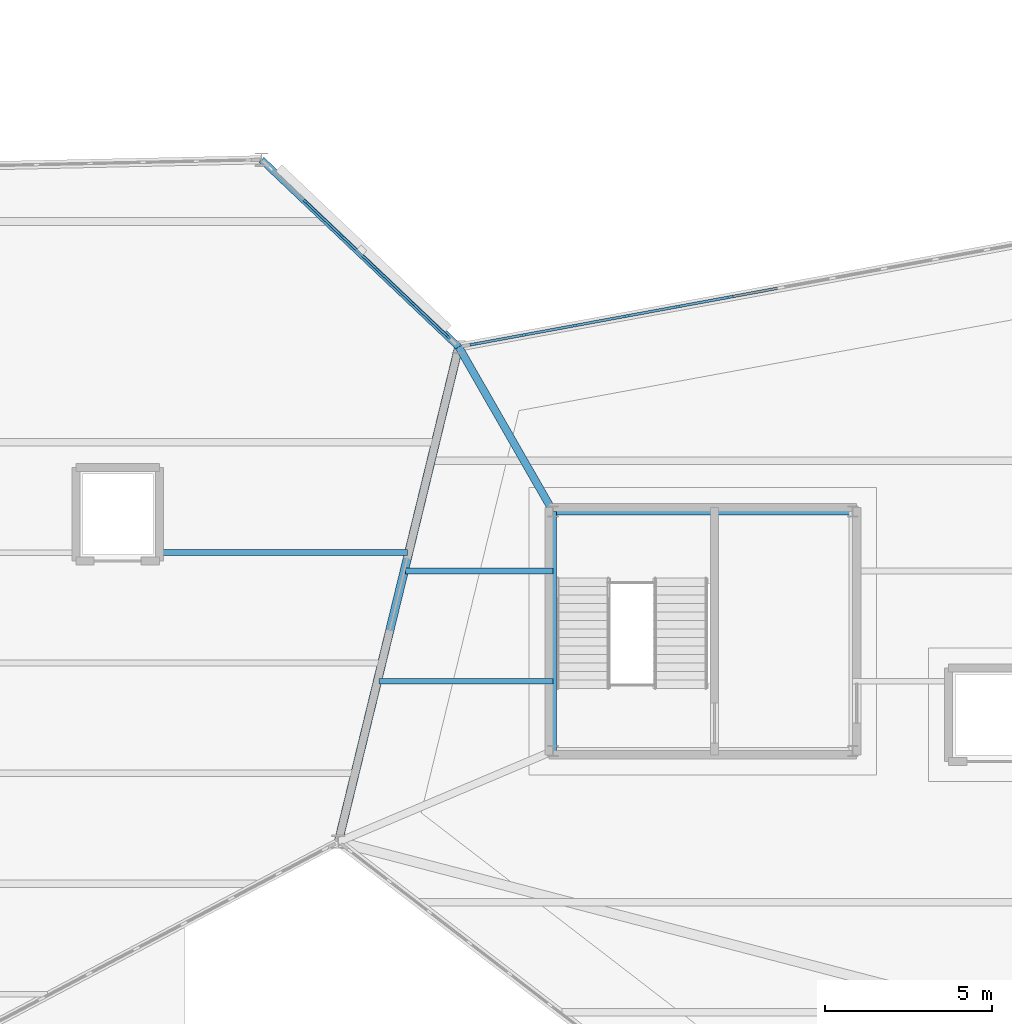
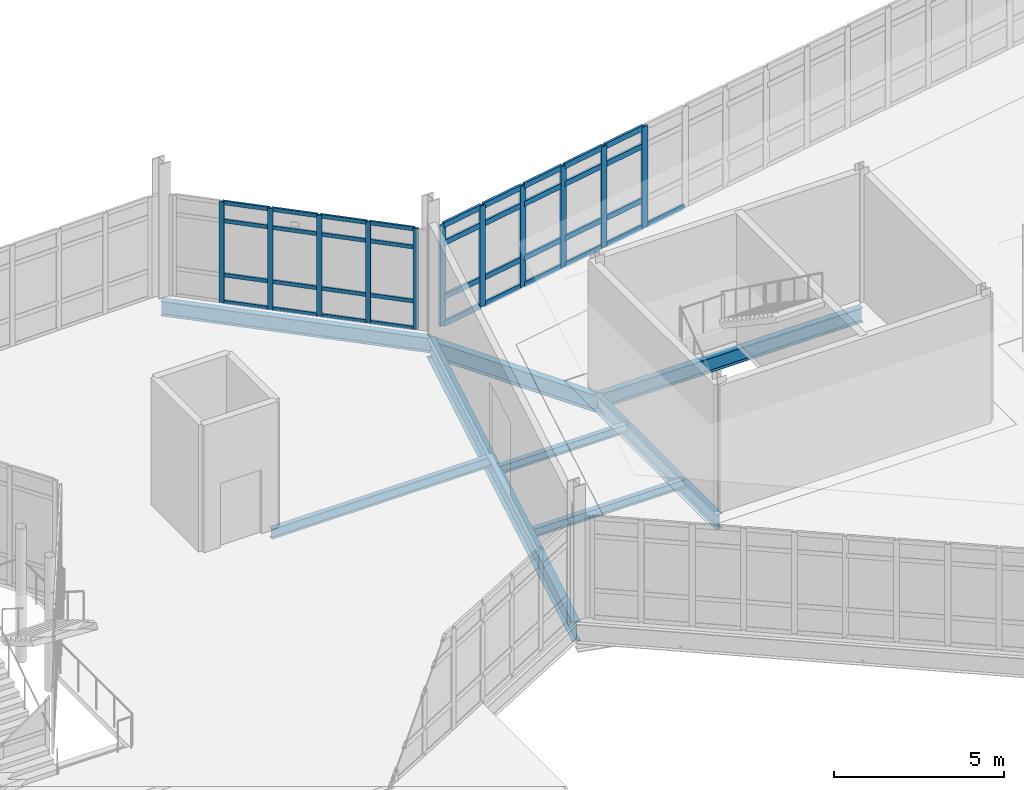
# One storey, part 48 of 134: 48 members, 8 beams, 2 elements without a shape of their own.
"""IFC4 building model written with IfcOpenShell, lengths in metres."""

from ifc_helpers import new_model, si_unit, direction, frame, origin, origin_2d, place, context, subcontext, project, spatial, rectangle, i_section, extrude, material, material_profile, profile_set, type_object, element, aggregate, save


model = new_model("IFC4")

# Units and contexts
model_context = context("Model", 3, precision=1e-05, world=origin(), true_north=direction((0.0, 1.0)))
body_context = subcontext(model_context, "Body", "Model", "MODEL_VIEW")
ifc_project = project(units=[si_unit("LENGTHUNIT", "METRE"), si_unit("AREAUNIT", "SQUARE_METRE"), si_unit("VOLUMEUNIT", "CUBIC_METRE"), si_unit("PLANEANGLEUNIT", "RADIAN"), si_unit("MASSUNIT", "GRAM", prefix="KILO")], contexts=[model_context])

# Site, building, storey
site_placement = place(None, origin())
site = spatial("IfcSite", under=ifc_project, at=site_placement, CompositionType="ELEMENT")
building_placement = place(site_placement, origin())
building = spatial("IfcBuilding", under=site, at=building_placement, Name="Tameran Prism Museum", CompositionType="ELEMENT")
storey_placement = place(building_placement, frame((0.0, 0.0, 5.39990234375)))
storey = spatial("IfcBuildingStorey", under=building, at=storey_placement, Name="L01", CompositionType="ELEMENT", Elevation=5.39990234375)

# Beams
ifc_material_1 = material(Name="Steel Grade 300PLUS (300 MPa)", Category="steel")
ifc_material_profile_1 = material_profile(ifc_material_1, i_section(OverallWidth=0.166015625, OverallDepth=0.306884765625, WebThickness=0.006591796875, FlangeThickness=0.01171875, FilletRadius=0.011474609375, at=origin_2d()))
ifc_profile_set_1 = profile_set([ifc_material_profile_1])
beam_type_1 = type_object("IfcBeamType", Name="BM-J310A", PredefinedType="JOIST", material=ifc_profile_set_1)
beam_1_placement = place(storey_placement, frame((99.30908203125, 33.0, -0.353515625), z_axis=(1.0, 0.0, 0.0), x_axis=(0.0, 1.0, 0.0)))
element("IfcBeam", 1, at=beam_1_placement, inside=storey, type_object=beam_type_1, Name="Floor Beam BM-0564", PredefinedType="JOIST", context=body_context, shape_type="SweptSolid", body=[
    extrude(i_section(OverallWidth=0.166015625, OverallDepth=0.306884765625, WebThickness=0.006591796875, FlangeThickness=0.01171875, FilletRadius=0.011474609375, at=origin_2d()), origin(), (0.0, 0.0, 1.0), 5.2109375),
])
ifc_material_2 = material(Name="Steel Grade 300PLUS (300 MPa)", Category="steel")
ifc_material_profile_2 = material_profile(ifc_material_2, i_section(OverallWidth=0.1650390625, OverallDepth=0.303955078125, WebThickness=0.006103515625, FlangeThickness=0.01025390625, FilletRadius=0.011474609375, at=origin_2d()))
ifc_profile_set_2 = profile_set([ifc_material_profile_2])
beam_type_2 = type_object("IfcBeamType", Name="BM-J310B", PredefinedType="JOIST", material=ifc_profile_set_2)
beam_2_placement = place(storey_placement, frame((100.111083984375, 36.300048828125, -0.351806640625), z_axis=(1.0, 0.0, 0.0), x_axis=(0.0, 1.0, 0.0)))
element("IfcBeam", 2, at=beam_2_placement, inside=storey, type_object=beam_type_2, Name="Floor Beam BM-0567", PredefinedType="JOIST", context=body_context, shape_type="SweptSolid", body=[
    extrude(i_section(OverallWidth=0.1650390625, OverallDepth=0.303955078125, WebThickness=0.006103515625, FlangeThickness=0.01025390625, FilletRadius=0.011474609375, at=origin_2d()), origin(), (0.0, 0.0, 1.0), 4.408935546875),
])
ifc_material_3 = material(Name="Steel Grade 300PLUS (300 MPa)", Category="steel")
ifc_material_profile_3 = material_profile(ifc_material_3, i_section(OverallWidth=0.1708984375, OverallDepth=0.35595703125, WebThickness=0.00732421875, FlangeThickness=0.011474609375, FilletRadius=0.011474609375, at=origin_2d()))
ifc_profile_set_3 = profile_set([ifc_material_profile_3])
beam_type_3 = type_object("IfcBeamType", Name="BM-J360B", PredefinedType="JOIST", material=ifc_profile_set_3)
beam_3_placement = place(storey_placement, frame((92.72998046875, 36.85009765625, -0.3779296875), z_axis=(1.0, 0.0, 0.0), x_axis=(0.0, 1.0, 0.0)))
element("IfcBeam", 3, at=beam_3_placement, inside=storey, type_object=beam_type_3, Name="Floor Beam BM-0548", PredefinedType="JOIST", context=body_context, shape_type="SweptSolid", body=[
    extrude(i_section(OverallWidth=0.1708984375, OverallDepth=0.35595703125, WebThickness=0.00732421875, FlangeThickness=0.011474609375, FilletRadius=0.011474609375, at=origin_2d()), origin(), (0.0, 0.0, 1.0), 7.43310546875),
])
ifc_material_4 = material(Name="Steel Grade 300PLUS (300 MPa)", Category="steel")
ifc_material_profile_4 = material_profile(ifc_material_4, i_section(OverallWidth=0.208984375, OverallDepth=0.528076171875, WebThickness=0.009521484375, FlangeThickness=0.01318359375, FilletRadius=0.013916015625, at=origin_2d()))
ifc_profile_set_4 = profile_set([ifc_material_profile_4])
beam_type_4 = type_object("IfcBeamType", Name="BM-SP530B", PredefinedType="SPANDREL", material=ifc_profile_set_4)
beam_4_placement = place(storey_placement, frame((101.699951171875, 43.0, -0.4638671875), z_axis=(-0.725294606745, 0.688438619942, 0.0), x_axis=(-0.688438619942, -0.725294606745, 0.0)))
element("IfcBeam", 4, at=beam_4_placement, inside=storey, type_object=beam_type_4, Name="Perimeter Spandrel SP-0354", PredefinedType="SPANDREL", context=body_context, shape_type="SweptSolid", body=[
    extrude(i_section(OverallWidth=0.208984375, OverallDepth=0.528076171875, WebThickness=0.009521484375, FlangeThickness=0.01318359375, FilletRadius=0.013916015625, at=origin_2d()), origin(), (0.0, 0.0, 1.0), 8.134521484375),
])
beam_5_placement = place(storey_placement, frame((113.47998046875, 38.080078125, -0.50390625), z_axis=(-1.0, 0.0, 0.0), x_axis=(0.0, -1.0, 0.0)))
element("IfcBeam", 5, at=beam_5_placement, inside=storey, type_object=beam_type_4, Name="Core Ring Beam CTB-0460", PredefinedType="SPANDREL", context=body_context, shape_type="SweptSolid", body=[
    extrude(i_section(OverallWidth=0.208984375, OverallDepth=0.528076171875, WebThickness=0.009521484375, FlangeThickness=0.01318359375, FilletRadius=0.013916015625, at=origin_2d()), origin(), (0.0, 0.0, 1.0), 8.9599609375),
])
beam_6_placement = place(storey_placement, frame((104.52001953125, 38.080078125, -0.50390625), z_axis=(0.0, -1.0, 0.0), x_axis=(1.0, 0.0, 0.0)))
element("IfcBeam", 6, at=beam_6_placement, inside=storey, type_object=beam_type_4, Name="Core Ring Beam CTB-0461", PredefinedType="SPANDREL", context=body_context, shape_type="SweptSolid", body=[
    extrude(i_section(OverallWidth=0.208984375, OverallDepth=0.528076171875, WebThickness=0.009521484375, FlangeThickness=0.01318359375, FilletRadius=0.013916015625, at=origin_2d()), origin(), (0.0, 0.0, 1.0), 7.16015625),
])
ifc_material_5 = material(Name="Steel Grade 350 (350 MPa)", Category="steel")
ifc_material_profile_5 = material_profile(ifc_material_5, i_section(OverallWidth=0.25, OverallDepth=0.699951171875, WebThickness=0.010009765625, FlangeThickness=0.02001953125, at=origin_2d()))
ifc_profile_set_5 = profile_set([ifc_material_profile_5])
beam_type_5 = type_object("IfcBeamType", Name="BM-SP700", PredefinedType="SPANDREL", material=ifc_profile_set_5)
beam_7_placement = place(storey_placement, frame((98.10009765625, 28.199951171875, -0.5498046875), z_axis=(0.236341762997, 0.971669990822, 0.0), x_axis=(-0.971669990822, 0.236341762997, 0.0)))
element("IfcBeam", 7, at=beam_7_placement, inside=storey, type_object=beam_type_5, Name="Perimeter Spandrel SP-0353", PredefinedType="SPANDREL", context=body_context, shape_type="SweptSolid", body=[
    extrude(i_section(OverallWidth=0.25, OverallDepth=0.699951171875, WebThickness=0.010009765625, FlangeThickness=0.02001953125, at=origin_2d()), origin(), (0.0, 0.0, 1.0), 15.2314453125),
])
ifc_material_6 = material(Name="Steel Grade 300PLUS (300 MPa)", Category="steel")
ifc_material_profile_6 = material_profile(ifc_material_6, i_section(OverallWidth=0.22900390625, OverallDepth=0.612060546875, WebThickness=0.011962890625, FlangeThickness=0.01953125, FilletRadius=0.013916015625, at=origin_2d()))
ifc_profile_set_6 = profile_set([ifc_material_profile_6])
beam_type_6 = type_object("IfcBeamType", Name="BM-UB610A", PredefinedType="BEAM", material=ifc_profile_set_6)
beam_8_placement = place(storey_placement, frame((104.52001953125, 38.080078125, -0.559814453125), z_axis=(-0.4972929541, 0.867582686436, 0.0), x_axis=(-0.867582686436, -0.4972929541, 0.0)))
element("IfcBeam", 8, at=beam_8_placement, inside=storey, type_object=beam_type_6, Name="Frame Tie Girder FG-1422", PredefinedType="BEAM", context=body_context, shape_type="SweptSolid", body=[
    extrude(i_section(OverallWidth=0.22900390625, OverallDepth=0.612060546875, WebThickness=0.011962890625, FlangeThickness=0.01953125, FilletRadius=0.013916015625, at=origin_2d()), origin(), (0.0, 0.0, 1.0), 5.6708984375),
])

# Curtain wall, members
ifc_material_7 = material(Name="Anodised Aluminium 6063-T6 and Cyclone Solar Glass", Category="aluminium")
curtain_wall_type_1 = type_object("IfcCurtainWallType", Name="CW-FAC-738x362", PredefinedType="USERDEFINED", material=ifc_material_7)
curtain_wall_1_placement = place(storey_placement, origin())
curtain_wall_1 = element("IfcCurtainWall", 9, at=curtain_wall_1_placement, inside=storey, type_object=curtain_wall_type_1, Name="Unitised Curtain Wall CW-067", ObjectType="UNITISED CURTAIN WALL", PredefinedType="USERDEFINED")
ifc_material_8 = material(Name="Anodised Aluminium Alloy 6063-T6", Category="aluminium")
ifc_material_profile_7 = material_profile(ifc_material_8, rectangle(XDim=0.06494140625, YDim=0.159912109375, at=origin_2d()))
ifc_profile_set_7 = profile_set([ifc_material_profile_7])
member_type_1 = type_object("IfcMemberType", Name="CW-MUL-A", PredefinedType="MULLION", material=ifc_profile_set_7)
member_1_placement = place(storey_placement, frame((97.123779296875, 47.343505859375, 0.0), z_axis=(0.0, 0.0, 1.0), x_axis=(0.688425100987, 0.725307438491, 0.0)))
member_1 = element("IfcMember", 10, at=member_1_placement, type_object=member_type_1, Name="CW-067 mullion 2", PredefinedType="MULLION", context=body_context, shape_type="SweptSolid", body=[
    extrude(rectangle(XDim=0.06494140625, YDim=0.159912109375, at=origin_2d()), origin(), (0.0, 0.0, 1.0), 3.6201171875),
])
member_2_placement = place(storey_placement, frame((98.193603515625, 46.328125, 0.0), z_axis=(0.0, 0.0, 1.0), x_axis=(0.688425100987, 0.725307438491, 0.0)))
member_2 = element("IfcMember", 11, at=member_2_placement, type_object=member_type_1, Name="CW-067 mullion 3", PredefinedType="MULLION", context=body_context, shape_type="SweptSolid", body=[
    extrude(rectangle(XDim=0.06494140625, YDim=0.159912109375, at=origin_2d()), origin(), (0.0, 0.0, 1.0), 3.6201171875),
])
member_3_placement = place(storey_placement, frame((99.263427734375, 45.312744140625, 0.0), z_axis=(0.0, 0.0, 1.0), x_axis=(0.688425100987, 0.725307438491, 0.0)))
member_3 = element("IfcMember", 12, at=member_3_placement, type_object=member_type_1, Name="CW-067 mullion 4", PredefinedType="MULLION", context=body_context, shape_type="SweptSolid", body=[
    extrude(rectangle(XDim=0.06494140625, YDim=0.159912109375, at=origin_2d()), origin(), (0.0, 0.0, 1.0), 3.6201171875),
])
member_4_placement = place(storey_placement, frame((100.333251953125, 44.29736328125, 0.0), z_axis=(0.0, 0.0, 1.0), x_axis=(0.688425100987, 0.725307438491, 0.0)))
member_4 = element("IfcMember", 13, at=member_4_placement, type_object=member_type_1, Name="CW-067 mullion 5", PredefinedType="MULLION", context=body_context, shape_type="SweptSolid", body=[
    extrude(rectangle(XDim=0.06494140625, YDim=0.159912109375, at=origin_2d()), origin(), (0.0, 0.0, 1.0), 3.6201171875),
])
member_5_placement = place(storey_placement, frame((101.37939453125, 43.304443359375, 0.0), z_axis=(0.0, 0.0, 1.0), x_axis=(0.688425100987, 0.725307438491, 0.0)))
member_5 = element("IfcMember", 14, at=member_5_placement, type_object=member_type_1, Name="CW-067 mullion 6", PredefinedType="MULLION", context=body_context, shape_type="SweptSolid", body=[
    extrude(rectangle(XDim=0.06494140625, YDim=0.159912109375, at=origin_2d()), origin(), (0.0, 0.0, 1.0), 3.6201171875),
])

ifc_material_9 = material(Name="Anodised Aluminium 6063-T6 and Cyclone Solar Glass", Category="aluminium")
curtain_wall_type_2 = type_object("IfcCurtainWallType", Name="CW-FAC-2348x362", PredefinedType="USERDEFINED", material=ifc_material_9)
curtain_wall_2_placement = place(storey_placement, origin())
curtain_wall_2 = element("IfcCurtainWall", 15, at=curtain_wall_2_placement, inside=storey, type_object=curtain_wall_type_2, Name="Unitised Curtain Wall CW-074", ObjectType="UNITISED CURTAIN WALL", PredefinedType="USERDEFINED")
ifc_material_10 = material(Name="Anodised Aluminium Alloy 6063-T6", Category="aluminium")
ifc_material_profile_8 = material_profile(ifc_material_10, rectangle(XDim=0.080078125, YDim=0.219970703125, at=origin_2d()))
ifc_profile_set_8 = profile_set([ifc_material_profile_8])
member_type_2 = type_object("IfcMemberType", Name="CW-MUL-D", PredefinedType="MULLION", material=ifc_profile_set_8)
member_6_placement = place(storey_placement, frame((102.142333984375, 43.081298828125, 0.0), z_axis=(0.0, 0.0, 1.0), x_axis=(-0.181062693106, 0.98347155585, 0.0)))
member_6 = element("IfcMember", 16, at=member_6_placement, type_object=member_type_2, Name="CW-074 mullion 1", PredefinedType="MULLION", context=body_context, shape_type="SweptSolid", body=[
    extrude(rectangle(XDim=0.080078125, YDim=0.219970703125, at=origin_2d()), origin(), (0.0, 0.0, 1.0), 3.6201171875),
])
member_7_placement = place(storey_placement, frame((103.642333984375, 43.357421875, 0.0), z_axis=(0.0, 0.0, 1.0), x_axis=(-0.181062693106, 0.98347155585, 0.0)))
member_7 = element("IfcMember", 17, at=member_7_placement, type_object=member_type_2, Name="CW-074 mullion 2", PredefinedType="MULLION", context=body_context, shape_type="SweptSolid", body=[
    extrude(rectangle(XDim=0.080078125, YDim=0.219970703125, at=origin_2d()), origin(), (0.0, 0.0, 1.0), 3.6201171875),
])
member_8_placement = place(storey_placement, frame((105.181640625, 43.640869140625, 0.0), z_axis=(0.0, 0.0, 1.0), x_axis=(-0.181062693106, 0.98347155585, 0.0)))
member_8 = element("IfcMember", 18, at=member_8_placement, type_object=member_type_2, Name="CW-074 mullion 3", PredefinedType="MULLION", context=body_context, shape_type="SweptSolid", body=[
    extrude(rectangle(XDim=0.080078125, YDim=0.219970703125, at=origin_2d()), origin(), (0.0, 0.0, 1.0), 3.6201171875),
])
member_9_placement = place(storey_placement, frame((106.720947265625, 43.92431640625, 0.0), z_axis=(0.0, 0.0, 1.0), x_axis=(-0.181062693106, 0.98347155585, 0.0)))
member_9 = element("IfcMember", 19, at=member_9_placement, type_object=member_type_2, Name="CW-074 mullion 4", PredefinedType="MULLION", context=body_context, shape_type="SweptSolid", body=[
    extrude(rectangle(XDim=0.080078125, YDim=0.219970703125, at=origin_2d()), origin(), (0.0, 0.0, 1.0), 3.6201171875),
])
member_10_placement = place(storey_placement, frame((108.26025390625, 44.20751953125, 0.0), z_axis=(0.0, 0.0, 1.0), x_axis=(-0.181062693106, 0.98347155585, 0.0)))
member_10 = element("IfcMember", 20, at=member_10_placement, type_object=member_type_2, Name="CW-074 mullion 5", PredefinedType="MULLION", context=body_context, shape_type="SweptSolid", body=[
    extrude(rectangle(XDim=0.080078125, YDim=0.219970703125, at=origin_2d()), origin(), (0.0, 0.0, 1.0), 3.6201171875),
])
member_11_placement = place(storey_placement, frame((109.799560546875, 44.490966796875, 0.0), z_axis=(0.0, 0.0, 1.0), x_axis=(-0.181062693106, 0.98347155585, 0.0)))
member_11 = element("IfcMember", 21, at=member_11_placement, type_object=member_type_2, Name="CW-074 mullion 6", PredefinedType="MULLION", context=body_context, shape_type="SweptSolid", body=[
    extrude(rectangle(XDim=0.080078125, YDim=0.219970703125, at=origin_2d()), origin(), (0.0, 0.0, 1.0), 3.6201171875),
])

# Member
ifc_material_11 = material(Name="Anodised Aluminium Alloy 6063-T6", Category="aluminium")
ifc_material_profile_9 = material_profile(ifc_material_11, rectangle(XDim=0.06494140625, YDim=0.139892578125, at=origin_2d()))
ifc_profile_set_9 = profile_set([ifc_material_profile_9])
member_type_3 = type_object("IfcMemberType", Name="CW-TRN-A", PredefinedType="USERDEFINED", material=ifc_profile_set_9)
member_12_placement = place(storey_placement, frame((97.1474609375, 47.3212890625, 0.03271484375), z_axis=(0.725224216507, -0.688512770972, 0.0), x_axis=(0.688512770972, 0.725224216507, 0.0)))
member_12 = element("IfcMember", 22, at=member_12_placement, type_object=member_type_3, Name="CW-067 transom 2.1", ObjectType="TRANSOM", PredefinedType="USERDEFINED", context=body_context, shape_type="SweptSolid", body=[
    extrude(rectangle(XDim=0.06494140625, YDim=0.139892578125, at=origin_2d()), origin(), (0.0, 0.0, 1.0), 1.409912109375),
])

member_13_placement = place(storey_placement, frame((97.1474609375, 47.3212890625, 1.0), z_axis=(0.725224216507, -0.688512770972, 0.0), x_axis=(0.688512770972, 0.725224216507, 0.0)))
member_13 = element("IfcMember", 23, at=member_13_placement, type_object=member_type_3, Name="CW-067 transom 2.2", ObjectType="TRANSOM", PredefinedType="USERDEFINED", context=body_context, shape_type="SweptSolid", body=[
    extrude(rectangle(XDim=0.06494140625, YDim=0.139892578125, at=origin_2d()), origin(), (0.0, 0.0, 1.0), 1.409912109375),
])

member_14_placement = place(storey_placement, frame((97.1474609375, 47.3212890625, 2.940185546875), z_axis=(0.725224216507, -0.688512770972, 0.0), x_axis=(0.688512770972, 0.725224216507, 0.0)))
member_14 = element("IfcMember", 24, at=member_14_placement, type_object=member_type_3, Name="CW-067 transom 2.3", ObjectType="TRANSOM", PredefinedType="USERDEFINED", context=body_context, shape_type="SweptSolid", body=[
    extrude(rectangle(XDim=0.06494140625, YDim=0.139892578125, at=origin_2d()), origin(), (0.0, 0.0, 1.0), 1.409912109375),
])

member_15_placement = place(storey_placement, frame((97.1474609375, 47.3212890625, 3.587646484375), z_axis=(0.725224216507, -0.688512770972, 0.0), x_axis=(0.688512770972, 0.725224216507, 0.0)))
member_15 = element("IfcMember", 25, at=member_15_placement, type_object=member_type_3, Name="CW-067 transom 2.4", ObjectType="TRANSOM", PredefinedType="USERDEFINED", context=body_context, shape_type="SweptSolid", body=[
    extrude(rectangle(XDim=0.06494140625, YDim=0.139892578125, at=origin_2d()), origin(), (0.0, 0.0, 1.0), 1.409912109375),
])

member_16_placement = place(storey_placement, frame((98.21728515625, 46.305908203125, 0.03271484375), z_axis=(0.725224216507, -0.688512770972, 0.0), x_axis=(0.688512770972, 0.725224216507, 0.0)))
member_16 = element("IfcMember", 26, at=member_16_placement, type_object=member_type_3, Name="CW-067 transom 3.1", ObjectType="TRANSOM", PredefinedType="USERDEFINED", context=body_context, shape_type="SweptSolid", body=[
    extrude(rectangle(XDim=0.06494140625, YDim=0.139892578125, at=origin_2d()), origin(), (0.0, 0.0, 1.0), 1.409912109375),
])

member_17_placement = place(storey_placement, frame((98.21728515625, 46.305908203125, 1.0), z_axis=(0.725224216507, -0.688512770972, 0.0), x_axis=(0.688512770972, 0.725224216507, 0.0)))
member_17 = element("IfcMember", 27, at=member_17_placement, type_object=member_type_3, Name="CW-067 transom 3.2", ObjectType="TRANSOM", PredefinedType="USERDEFINED", context=body_context, shape_type="SweptSolid", body=[
    extrude(rectangle(XDim=0.06494140625, YDim=0.139892578125, at=origin_2d()), origin(), (0.0, 0.0, 1.0), 1.409912109375),
])

member_18_placement = place(storey_placement, frame((98.21728515625, 46.305908203125, 2.940185546875), z_axis=(0.725224216507, -0.688512770972, 0.0), x_axis=(0.688512770972, 0.725224216507, 0.0)))
member_18 = element("IfcMember", 28, at=member_18_placement, type_object=member_type_3, Name="CW-067 transom 3.3", ObjectType="TRANSOM", PredefinedType="USERDEFINED", context=body_context, shape_type="SweptSolid", body=[
    extrude(rectangle(XDim=0.06494140625, YDim=0.139892578125, at=origin_2d()), origin(), (0.0, 0.0, 1.0), 1.409912109375),
])

member_19_placement = place(storey_placement, frame((98.21728515625, 46.305908203125, 3.587646484375), z_axis=(0.725224216507, -0.688512770972, 0.0), x_axis=(0.688512770972, 0.725224216507, 0.0)))
member_19 = element("IfcMember", 29, at=member_19_placement, type_object=member_type_3, Name="CW-067 transom 3.4", ObjectType="TRANSOM", PredefinedType="USERDEFINED", context=body_context, shape_type="SweptSolid", body=[
    extrude(rectangle(XDim=0.06494140625, YDim=0.139892578125, at=origin_2d()), origin(), (0.0, 0.0, 1.0), 1.409912109375),
])

member_20_placement = place(storey_placement, frame((99.286865234375, 45.29052734375, 0.03271484375), z_axis=(0.725306290926, -0.688426310031, 0.0), x_axis=(0.688426310031, 0.725306290926, 0.0)))
member_20 = element("IfcMember", 30, at=member_20_placement, type_object=member_type_3, Name="CW-067 transom 4.1", ObjectType="TRANSOM", PredefinedType="USERDEFINED", context=body_context, shape_type="SweptSolid", body=[
    extrude(rectangle(XDim=0.06494140625, YDim=0.139892578125, at=origin_2d()), origin(), (0.0, 0.0, 1.0), 1.409912109375),
])

member_21_placement = place(storey_placement, frame((99.286865234375, 45.29052734375, 1.0), z_axis=(0.725306290926, -0.688426310031, 0.0), x_axis=(0.688426310031, 0.725306290926, 0.0)))
member_21 = element("IfcMember", 31, at=member_21_placement, type_object=member_type_3, Name="CW-067 transom 4.2", ObjectType="TRANSOM", PredefinedType="USERDEFINED", context=body_context, shape_type="SweptSolid", body=[
    extrude(rectangle(XDim=0.06494140625, YDim=0.139892578125, at=origin_2d()), origin(), (0.0, 0.0, 1.0), 1.409912109375),
])

member_22_placement = place(storey_placement, frame((99.286865234375, 45.29052734375, 2.940185546875), z_axis=(0.725306290926, -0.688426310031, 0.0), x_axis=(0.688426310031, 0.725306290926, 0.0)))
member_22 = element("IfcMember", 32, at=member_22_placement, type_object=member_type_3, Name="CW-067 transom 4.3", ObjectType="TRANSOM", PredefinedType="USERDEFINED", context=body_context, shape_type="SweptSolid", body=[
    extrude(rectangle(XDim=0.06494140625, YDim=0.139892578125, at=origin_2d()), origin(), (0.0, 0.0, 1.0), 1.409912109375),
])

member_23_placement = place(storey_placement, frame((99.286865234375, 45.29052734375, 3.587646484375), z_axis=(0.725306290926, -0.688426310031, 0.0), x_axis=(0.688426310031, 0.725306290926, 0.0)))
member_23 = element("IfcMember", 33, at=member_23_placement, type_object=member_type_3, Name="CW-067 transom 4.4", ObjectType="TRANSOM", PredefinedType="USERDEFINED", context=body_context, shape_type="SweptSolid", body=[
    extrude(rectangle(XDim=0.06494140625, YDim=0.139892578125, at=origin_2d()), origin(), (0.0, 0.0, 1.0), 1.409912109375),
])

member_24_placement = place(storey_placement, frame((100.356689453125, 44.275146484375, 0.03271484375), z_axis=(0.72529579304, -0.688437370135, 0.0), x_axis=(0.688437370135, 0.72529579304, 0.0)))
member_24 = element("IfcMember", 34, at=member_24_placement, type_object=member_type_3, Name="CW-067 transom 5.1", ObjectType="TRANSOM", PredefinedType="USERDEFINED", context=body_context, shape_type="SweptSolid", body=[
    extrude(rectangle(XDim=0.06494140625, YDim=0.139892578125, at=origin_2d()), origin(), (0.0, 0.0, 1.0), 1.377685546875),
])

member_25_placement = place(storey_placement, frame((100.356689453125, 44.275146484375, 1.0), z_axis=(0.72529579304, -0.688437370135, 0.0), x_axis=(0.688437370135, 0.72529579304, 0.0)))
member_25 = element("IfcMember", 35, at=member_25_placement, type_object=member_type_3, Name="CW-067 transom 5.2", ObjectType="TRANSOM", PredefinedType="USERDEFINED", context=body_context, shape_type="SweptSolid", body=[
    extrude(rectangle(XDim=0.06494140625, YDim=0.139892578125, at=origin_2d()), origin(), (0.0, 0.0, 1.0), 1.377685546875),
])

member_26_placement = place(storey_placement, frame((100.356689453125, 44.275146484375, 2.940185546875), z_axis=(0.72529579304, -0.688437370135, 0.0), x_axis=(0.688437370135, 0.72529579304, 0.0)))
member_26 = element("IfcMember", 36, at=member_26_placement, type_object=member_type_3, Name="CW-067 transom 5.3", ObjectType="TRANSOM", PredefinedType="USERDEFINED", context=body_context, shape_type="SweptSolid", body=[
    extrude(rectangle(XDim=0.06494140625, YDim=0.139892578125, at=origin_2d()), origin(), (0.0, 0.0, 1.0), 1.377685546875),
])

member_27_placement = place(storey_placement, frame((100.356689453125, 44.275146484375, 3.587646484375), z_axis=(0.72529579304, -0.688437370135, 0.0), x_axis=(0.688437370135, 0.72529579304, 0.0)))
member_27 = element("IfcMember", 37, at=member_27_placement, type_object=member_type_3, Name="CW-067 transom 5.4", ObjectType="TRANSOM", PredefinedType="USERDEFINED", context=body_context, shape_type="SweptSolid", body=[
    extrude(rectangle(XDim=0.06494140625, YDim=0.139892578125, at=origin_2d()), origin(), (0.0, 0.0, 1.0), 1.377685546875),
])

aggregate(curtain_wall_1, [member_1, member_2, member_3, member_4, member_5, member_12, member_13, member_14, member_15, member_16, member_17, member_18, member_19, member_20, member_21, member_22, member_23, member_24, member_25, member_26, member_27])

ifc_material_12 = material(Name="Anodised Aluminium Alloy 6063-T6", Category="aluminium")
ifc_material_profile_10 = material_profile(ifc_material_12, rectangle(XDim=0.080078125, YDim=0.195068359375, at=origin_2d()))
ifc_profile_set_10 = profile_set([ifc_material_profile_10])
member_type_4 = type_object("IfcMemberType", Name="CW-TRN-D", PredefinedType="USERDEFINED", material=ifc_profile_set_10)
member_28_placement = place(storey_placement, frame((102.181640625, 43.08837890625, 0.0400390625), z_axis=(0.983467441572, 0.181085039053, 0.0), x_axis=(-0.181085039053, 0.983467441572, 0.0)))
member_28 = element("IfcMember", 38, at=member_28_placement, type_object=member_type_4, Name="CW-074 transom 1.1", ObjectType="TRANSOM", PredefinedType="USERDEFINED", context=body_context, shape_type="SweptSolid", body=[
    extrude(rectangle(XDim=0.080078125, YDim=0.195068359375, at=origin_2d()), origin(), (0.0, 0.0, 1.0), 1.4453125),
])

member_29_placement = place(storey_placement, frame((102.181640625, 43.08837890625, 1.0), z_axis=(0.983467441572, 0.181085039053, 0.0), x_axis=(-0.181085039053, 0.983467441572, 0.0)))
member_29 = element("IfcMember", 39, at=member_29_placement, type_object=member_type_4, Name="CW-074 transom 1.2", ObjectType="TRANSOM", PredefinedType="USERDEFINED", context=body_context, shape_type="SweptSolid", body=[
    extrude(rectangle(XDim=0.080078125, YDim=0.195068359375, at=origin_2d()), origin(), (0.0, 0.0, 1.0), 1.4453125),
])

member_30_placement = place(storey_placement, frame((102.181640625, 43.08837890625, 2.940185546875), z_axis=(0.983467441572, 0.181085039053, 0.0), x_axis=(-0.181085039053, 0.983467441572, 0.0)))
member_30 = element("IfcMember", 40, at=member_30_placement, type_object=member_type_4, Name="CW-074 transom 1.3", ObjectType="TRANSOM", PredefinedType="USERDEFINED", context=body_context, shape_type="SweptSolid", body=[
    extrude(rectangle(XDim=0.080078125, YDim=0.195068359375, at=origin_2d()), origin(), (0.0, 0.0, 1.0), 1.4453125),
])

member_31_placement = place(storey_placement, frame((102.181640625, 43.08837890625, 3.580078125), z_axis=(0.983467441572, 0.181085039053, 0.0), x_axis=(-0.181085039053, 0.983467441572, 0.0)))
member_31 = element("IfcMember", 41, at=member_31_placement, type_object=member_type_4, Name="CW-074 transom 1.4", ObjectType="TRANSOM", PredefinedType="USERDEFINED", context=body_context, shape_type="SweptSolid", body=[
    extrude(rectangle(XDim=0.080078125, YDim=0.195068359375, at=origin_2d()), origin(), (0.0, 0.0, 1.0), 1.4453125),
])

member_32_placement = place(storey_placement, frame((103.681640625, 43.36474609375, 0.0400390625), z_axis=(0.983486312401, 0.180982522138, 0.0), x_axis=(-0.180982522138, 0.983486312401, 0.0)))
member_32 = element("IfcMember", 42, at=member_32_placement, type_object=member_type_4, Name="CW-074 transom 2.1", ObjectType="TRANSOM", PredefinedType="USERDEFINED", context=body_context, shape_type="SweptSolid", body=[
    extrude(rectangle(XDim=0.080078125, YDim=0.195068359375, at=origin_2d()), origin(), (0.0, 0.0, 1.0), 1.485107421875),
])

member_33_placement = place(storey_placement, frame((103.681640625, 43.36474609375, 1.0), z_axis=(0.983486312401, 0.180982522138, 0.0), x_axis=(-0.180982522138, 0.983486312401, 0.0)))
member_33 = element("IfcMember", 43, at=member_33_placement, type_object=member_type_4, Name="CW-074 transom 2.2", ObjectType="TRANSOM", PredefinedType="USERDEFINED", context=body_context, shape_type="SweptSolid", body=[
    extrude(rectangle(XDim=0.080078125, YDim=0.195068359375, at=origin_2d()), origin(), (0.0, 0.0, 1.0), 1.485107421875),
])

member_34_placement = place(storey_placement, frame((103.681640625, 43.36474609375, 2.940185546875), z_axis=(0.983486312401, 0.180982522138, 0.0), x_axis=(-0.180982522138, 0.983486312401, 0.0)))
member_34 = element("IfcMember", 44, at=member_34_placement, type_object=member_type_4, Name="CW-074 transom 2.3", ObjectType="TRANSOM", PredefinedType="USERDEFINED", context=body_context, shape_type="SweptSolid", body=[
    extrude(rectangle(XDim=0.080078125, YDim=0.195068359375, at=origin_2d()), origin(), (0.0, 0.0, 1.0), 1.485107421875),
])

member_35_placement = place(storey_placement, frame((103.681640625, 43.36474609375, 3.580078125), z_axis=(0.983486312401, 0.180982522138, 0.0), x_axis=(-0.180982522138, 0.983486312401, 0.0)))
member_35 = element("IfcMember", 45, at=member_35_placement, type_object=member_type_4, Name="CW-074 transom 2.4", ObjectType="TRANSOM", PredefinedType="USERDEFINED", context=body_context, shape_type="SweptSolid", body=[
    extrude(rectangle(XDim=0.080078125, YDim=0.195068359375, at=origin_2d()), origin(), (0.0, 0.0, 1.0), 1.485107421875),
])

member_36_placement = place(storey_placement, frame((105.220947265625, 43.64794921875, 0.0400390625), z_axis=(0.983457041771, 0.181141510953, 0.0), x_axis=(-0.181141510953, 0.983457041771, 0.0)))
member_36 = element("IfcMember", 46, at=member_36_placement, type_object=member_type_4, Name="CW-074 transom 3.1", ObjectType="TRANSOM", PredefinedType="USERDEFINED", context=body_context, shape_type="SweptSolid", body=[
    extrude(rectangle(XDim=0.080078125, YDim=0.195068359375, at=origin_2d()), origin(), (0.0, 0.0, 1.0), 1.4853515625),
])

member_37_placement = place(storey_placement, frame((105.220947265625, 43.64794921875, 1.0), z_axis=(0.983457041771, 0.181141510953, 0.0), x_axis=(-0.181141510953, 0.983457041771, 0.0)))
member_37 = element("IfcMember", 47, at=member_37_placement, type_object=member_type_4, Name="CW-074 transom 3.2", ObjectType="TRANSOM", PredefinedType="USERDEFINED", context=body_context, shape_type="SweptSolid", body=[
    extrude(rectangle(XDim=0.080078125, YDim=0.195068359375, at=origin_2d()), origin(), (0.0, 0.0, 1.0), 1.4853515625),
])

member_38_placement = place(storey_placement, frame((105.220947265625, 43.64794921875, 2.940185546875), z_axis=(0.983457041771, 0.181141510953, 0.0), x_axis=(-0.181141510953, 0.983457041771, 0.0)))
member_38 = element("IfcMember", 48, at=member_38_placement, type_object=member_type_4, Name="CW-074 transom 3.3", ObjectType="TRANSOM", PredefinedType="USERDEFINED", context=body_context, shape_type="SweptSolid", body=[
    extrude(rectangle(XDim=0.080078125, YDim=0.195068359375, at=origin_2d()), origin(), (0.0, 0.0, 1.0), 1.4853515625),
])

member_39_placement = place(storey_placement, frame((105.220947265625, 43.64794921875, 3.580078125), z_axis=(0.983457041771, 0.181141510953, 0.0), x_axis=(-0.181141510953, 0.983457041771, 0.0)))
member_39 = element("IfcMember", 49, at=member_39_placement, type_object=member_type_4, Name="CW-074 transom 3.4", ObjectType="TRANSOM", PredefinedType="USERDEFINED", context=body_context, shape_type="SweptSolid", body=[
    extrude(rectangle(XDim=0.080078125, YDim=0.195068359375, at=origin_2d()), origin(), (0.0, 0.0, 1.0), 1.4853515625),
])

member_40_placement = place(storey_placement, frame((106.76025390625, 43.931396484375, 0.0400390625), z_axis=(0.983457041771, 0.181141510953, 0.0), x_axis=(-0.181141510953, 0.983457041771, 0.0)))
member_40 = element("IfcMember", 50, at=member_40_placement, type_object=member_type_4, Name="CW-074 transom 4.1", ObjectType="TRANSOM", PredefinedType="USERDEFINED", context=body_context, shape_type="SweptSolid", body=[
    extrude(rectangle(XDim=0.080078125, YDim=0.195068359375, at=origin_2d()), origin(), (0.0, 0.0, 1.0), 1.4853515625),
])

member_41_placement = place(storey_placement, frame((106.76025390625, 43.931396484375, 1.0), z_axis=(0.983457041771, 0.181141510953, 0.0), x_axis=(-0.181141510953, 0.983457041771, 0.0)))
member_41 = element("IfcMember", 51, at=member_41_placement, type_object=member_type_4, Name="CW-074 transom 4.2", ObjectType="TRANSOM", PredefinedType="USERDEFINED", context=body_context, shape_type="SweptSolid", body=[
    extrude(rectangle(XDim=0.080078125, YDim=0.195068359375, at=origin_2d()), origin(), (0.0, 0.0, 1.0), 1.4853515625),
])

member_42_placement = place(storey_placement, frame((106.76025390625, 43.931396484375, 2.940185546875), z_axis=(0.983457041771, 0.181141510953, 0.0), x_axis=(-0.181141510953, 0.983457041771, 0.0)))
member_42 = element("IfcMember", 52, at=member_42_placement, type_object=member_type_4, Name="CW-074 transom 4.3", ObjectType="TRANSOM", PredefinedType="USERDEFINED", context=body_context, shape_type="SweptSolid", body=[
    extrude(rectangle(XDim=0.080078125, YDim=0.195068359375, at=origin_2d()), origin(), (0.0, 0.0, 1.0), 1.4853515625),
])

member_43_placement = place(storey_placement, frame((106.76025390625, 43.931396484375, 3.580078125), z_axis=(0.983457041771, 0.181141510953, 0.0), x_axis=(-0.181141510953, 0.983457041771, 0.0)))
member_43 = element("IfcMember", 53, at=member_43_placement, type_object=member_type_4, Name="CW-074 transom 4.4", ObjectType="TRANSOM", PredefinedType="USERDEFINED", context=body_context, shape_type="SweptSolid", body=[
    extrude(rectangle(XDim=0.080078125, YDim=0.195068359375, at=origin_2d()), origin(), (0.0, 0.0, 1.0), 1.4853515625),
])

member_44_placement = place(storey_placement, frame((108.299560546875, 44.21484375, 0.0400390625), z_axis=(0.983486312401, 0.180982522138, 0.0), x_axis=(-0.180982522138, 0.983486312401, 0.0)))
member_44 = element("IfcMember", 54, at=member_44_placement, type_object=member_type_4, Name="CW-074 transom 5.1", ObjectType="TRANSOM", PredefinedType="USERDEFINED", context=body_context, shape_type="SweptSolid", body=[
    extrude(rectangle(XDim=0.080078125, YDim=0.195068359375, at=origin_2d()), origin(), (0.0, 0.0, 1.0), 1.485107421875),
])

member_45_placement = place(storey_placement, frame((108.299560546875, 44.21484375, 1.0), z_axis=(0.983486312401, 0.180982522138, 0.0), x_axis=(-0.180982522138, 0.983486312401, 0.0)))
member_45 = element("IfcMember", 55, at=member_45_placement, type_object=member_type_4, Name="CW-074 transom 5.2", ObjectType="TRANSOM", PredefinedType="USERDEFINED", context=body_context, shape_type="SweptSolid", body=[
    extrude(rectangle(XDim=0.080078125, YDim=0.195068359375, at=origin_2d()), origin(), (0.0, 0.0, 1.0), 1.485107421875),
])

member_46_placement = place(storey_placement, frame((108.299560546875, 44.21484375, 2.940185546875), z_axis=(0.983486312401, 0.180982522138, 0.0), x_axis=(-0.180982522138, 0.983486312401, 0.0)))
member_46 = element("IfcMember", 56, at=member_46_placement, type_object=member_type_4, Name="CW-074 transom 5.3", ObjectType="TRANSOM", PredefinedType="USERDEFINED", context=body_context, shape_type="SweptSolid", body=[
    extrude(rectangle(XDim=0.080078125, YDim=0.195068359375, at=origin_2d()), origin(), (0.0, 0.0, 1.0), 1.485107421875),
])

member_47_placement = place(storey_placement, frame((108.299560546875, 44.21484375, 3.580078125), z_axis=(0.983486312401, 0.180982522138, 0.0), x_axis=(-0.180982522138, 0.983486312401, 0.0)))
member_47 = element("IfcMember", 57, at=member_47_placement, type_object=member_type_4, Name="CW-074 transom 5.4", ObjectType="TRANSOM", PredefinedType="USERDEFINED", context=body_context, shape_type="SweptSolid", body=[
    extrude(rectangle(XDim=0.080078125, YDim=0.195068359375, at=origin_2d()), origin(), (0.0, 0.0, 1.0), 1.485107421875),
])

member_48_placement = place(storey_placement, frame((109.839111328125, 44.498291015625, 0.0400390625), z_axis=(0.983480926878, 0.181011785438, 0.0), x_axis=(-0.181011785438, 0.983480926878, 0.0)))
member_48 = element("IfcMember", 58, at=member_48_placement, type_object=member_type_4, Name="CW-074 transom 6.1", ObjectType="TRANSOM", PredefinedType="USERDEFINED", context=body_context, shape_type="SweptSolid", body=[
    extrude(rectangle(XDim=0.080078125, YDim=0.195068359375, at=origin_2d()), origin(), (0.0, 0.0, 1.0), 1.48486328125),
])

aggregate(curtain_wall_2, [member_6, member_7, member_8, member_9, member_10, member_11, member_28, member_29, member_30, member_31, member_32, member_33, member_34, member_35, member_36, member_37, member_38, member_39, member_40, member_41, member_42, member_43, member_44, member_45, member_46, member_47, member_48])

save(model, "model.ifc")
